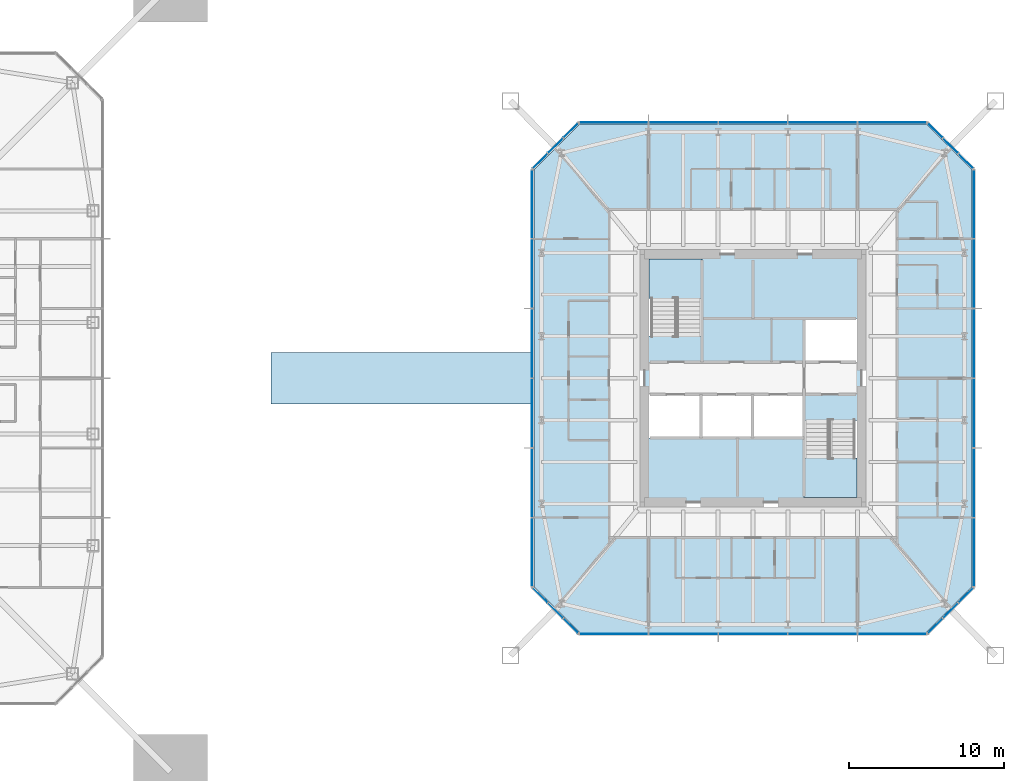
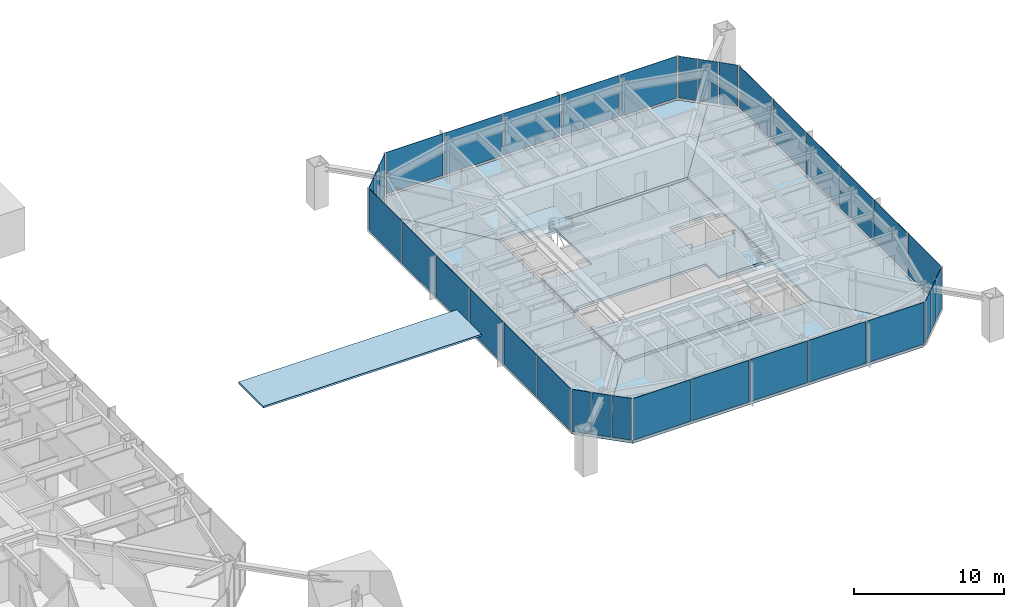
# One storey, part 12 of 25: 34 plates, 9 slabs, 10 elements without a shape of their own.
"""IFC4 building model written with IfcOpenShell, lengths in metres."""

from ifc_helpers import new_model, si_unit, direction, frame, origin, origin_2d, place, context, subcontext, project, spatial, polyline, rectangle, outline, extrude, material, layer, layer_set, constituent, constituent_set, type_object, element, aggregate, save


model = new_model("IFC4")

# Units and contexts
model_context = context("Model", 3, precision=1e-05, world=origin(), true_north=direction((0.0, 1.0)))
body_context = subcontext(model_context, "Body", "Model", "MODEL_VIEW")
ifc_project = project(units=[si_unit("LENGTHUNIT", "METRE"), si_unit("AREAUNIT", "SQUARE_METRE"), si_unit("VOLUMEUNIT", "CUBIC_METRE"), si_unit("PLANEANGLEUNIT", "RADIAN"), si_unit("MASSUNIT", "GRAM", prefix="KILO")], contexts=[model_context])

# Site, building, storey
site_placement = place(None, origin())
site = spatial("IfcSite", under=ifc_project, at=site_placement, CompositionType="ELEMENT")
building_placement = place(site_placement, origin())
building = spatial("IfcBuilding", under=site, at=building_placement, Name="Iwan Alto Co-Living Towers", CompositionType="ELEMENT")
storey_placement = place(building_placement, frame((0.0, 0.0, 101.5)))
storey = spatial("IfcBuildingStorey", under=building, at=storey_placement, Name="L27", CompositionType="ELEMENT", Elevation=101.5)

# Slabs
ifc_material_1 = material(Name="Concrete f'c 30 MPa", Category="concrete")
ifc_layer_1 = layer(ifc_material_1, 0.14990234375)
ifc_layer_set_1 = layer_set([ifc_layer_1], Name="BRIDGE ROOF SLAB 150")
slab_type_1 = type_object("IfcSlabType", Name="BRIDGE ROOF SLAB 150", PredefinedType="ROOF", material=ifc_layer_set_1)
slab_1_placement = place(storey_placement, frame((0.0, 0.0, 0.653564453125)))
element("IfcSlab", 1, at=slab_1_placement, inside=storey, type_object=slab_type_1, Name="Skybridge BR1 roof", PredefinedType="ROOF", context=body_context, shape_type="SweptSolid", body=[
    extrude(outline(polyline([(31.89990234375, -1.64990234375), (48.699951171875, -1.64990234375), (48.699951171875, 1.64990234375), (31.89990234375, 1.64990234375), (31.89990234375, -1.64990234375)])), origin(), (0.0, 0.0, 1.0), 0.150146484375),
])
ifc_material_2 = material(Name="Concrete f'c 30 MPa", Category="concrete")
ifc_layer_2 = layer(ifc_material_2, 0.199951171875)
ifc_layer_set_2 = layer_set([ifc_layer_2], Name="CORE FLOOR SLAB 200")
slab_type_2 = type_object("IfcSlabType", Name="CORE FLOOR SLAB 200", PredefinedType="FLOOR", material=ifc_layer_set_2)
slab_2_placement = place(storey_placement, frame((0.0, 0.0, -0.199951171875)))
element("IfcSlab", 2, at=slab_2_placement, inside=storey, type_object=slab_type_2, Name="T2 core floor L27", PredefinedType="FLOOR", context=body_context, shape_type="SweptSolid", body=[
    extrude(outline(polyline([(70.0, -3.030029296875), (69.699951171875, -3.030029296875), (69.699951171875, -2.719970703125), (66.300048828125, -2.719970703125), (66.300048828125, -1.050048828125), (62.967041015625, -1.050048828125), (59.633056640625, -1.050048828125), (56.300048828125, -1.050048828125), (56.300048828125, -1.360107421875), (56.0, -1.360107421875), (56.0, 3.030029296875), (56.300048828125, 3.030029296875), (56.300048828125, 2.719970703125), (59.699951171875, 2.719970703125), (59.699951171875, 7.699951171875), (59.389892578125, 7.699951171875), (59.389892578125, 8.0), (70.0, 8.0), (70.0, 3.5400390625), (69.699951171875, 3.5400390625), (69.699951171875, 3.85009765625), (66.300048828125, 3.85009765625), (66.300048828125, 1.050048828125), (69.699951171875, 1.050048828125), (69.699951171875, 1.360107421875), (70.0, 1.360107421875), (70.0, -3.030029296875)])), origin(), (0.0, 0.0, 1.0), 0.199951171875),
])
slab_3_placement = place(storey_placement, frame((0.0, 0.0, -0.199951171875)))
element("IfcSlab", 3, at=slab_3_placement, inside=storey, type_object=slab_type_2, Name="T2 core floor L27", PredefinedType="FLOOR", context=body_context, shape_type="SweptSolid", body=[
    extrude(outline(polyline([(62.967041015625, -3.85009765625), (66.300048828125, -3.85009765625), (66.300048828125, -7.699951171875), (66.610107421875, -7.699951171875), (66.610107421875, -8.0), (56.0, -8.0), (56.0, -3.5400390625), (56.300048828125, -3.5400390625), (56.300048828125, -3.85009765625), (59.633056640625, -3.85009765625), (62.967041015625, -3.85009765625)])), origin(), (0.0, 0.0, 1.0), 0.199951171875),
])

# Curtain wall, plates
ifc_material_3 = material(Name="Bronze aluminium unitised frame", Category="aluminium")
curtain_wall_type_1 = type_object("IfcCurtainWallType", Name="CURTAIN WALL CW-C", PredefinedType="NOTDEFINED", material=ifc_material_3)
curtain_wall_1_placement = place(storey_placement, origin())
curtain_wall_1 = element("IfcCurtainWall", 4, at=curtain_wall_1_placement, inside=storey, type_object=curtain_wall_type_1, Name="T2 curtain wall S L27", PredefinedType="NOTDEFINED")
ifc_material_4 = material(Name="Bronze-tinted insulating glass", Category="glass")
ifc_layer_3 = layer(ifc_material_4, 0.031982421875)
ifc_layer_set_3 = layer_set([ifc_layer_3], Name="CW-C PANEL TINTED IGU 32")
plate_type_1 = type_object("IfcPlateType", Name="CW-C PANEL TINTED IGU 32", PredefinedType="CURTAIN_PANEL", material=ifc_layer_set_3)
plate_1_placement = place(storey_placement, frame((54.02001953125, -16.5, 0.10009765625), z_axis=(0.0, 0.0, 1.0), x_axis=(1.0, 0.0, 0.0)))
plate_1 = element("IfcPlate", 5, at=plate_1_placement, type_object=plate_type_1, Name="CW-C panel 1.1", PredefinedType="CURTAIN_PANEL", context=body_context, shape_type="SweptSolid", body=[
    extrude(rectangle(XDim=4.3798828125, YDim=0.031982421875, at=origin_2d()), origin(), (0.0, 0.0, 1.0), 3.39990234375),
])
plate_2_placement = place(storey_placement, frame((58.5, -16.5, 0.10009765625), z_axis=(0.0, 0.0, 1.0), x_axis=(1.0, 0.0, 0.0)))
plate_2 = element("IfcPlate", 6, at=plate_2_placement, type_object=plate_type_1, Name="CW-C panel 2.1", PredefinedType="CURTAIN_PANEL", context=body_context, shape_type="SweptSolid", body=[
    extrude(rectangle(XDim=4.419921875, YDim=0.031982421875, at=origin_2d()), origin(), (0.0, 0.0, 1.0), 3.39990234375),
])
plate_3_placement = place(storey_placement, frame((63.0, -16.5, 0.10009765625), z_axis=(0.0, 0.0, 1.0), x_axis=(1.0, 0.0, 0.0)))
plate_3 = element("IfcPlate", 7, at=plate_3_placement, type_object=plate_type_1, Name="CW-C panel 3.1", PredefinedType="CURTAIN_PANEL", context=body_context, shape_type="SweptSolid", body=[
    extrude(rectangle(XDim=4.419921875, YDim=0.031982421875, at=origin_2d()), origin(), (0.0, 0.0, 1.0), 3.39990234375),
])
plate_4_placement = place(storey_placement, frame((67.5, -16.5, 0.10009765625), z_axis=(0.0, 0.0, 1.0), x_axis=(1.0, 0.0, 0.0)))
plate_4 = element("IfcPlate", 8, at=plate_4_placement, type_object=plate_type_1, Name="CW-C panel 4.1", PredefinedType="CURTAIN_PANEL", context=body_context, shape_type="SweptSolid", body=[
    extrude(rectangle(XDim=4.419921875, YDim=0.031982421875, at=origin_2d()), origin(), (0.0, 0.0, 1.0), 3.39990234375),
])
plate_5_placement = place(storey_placement, frame((71.97998046875, -16.5, 0.10009765625), z_axis=(0.0, 0.0, 1.0), x_axis=(1.0, 0.0, 0.0)))
plate_5 = element("IfcPlate", 9, at=plate_5_placement, type_object=plate_type_1, Name="CW-C panel 5.1", PredefinedType="CURTAIN_PANEL", context=body_context, shape_type="SweptSolid", body=[
    extrude(rectangle(XDim=4.3798828125, YDim=0.031982421875, at=origin_2d()), origin(), (0.0, 0.0, 1.0), 3.39990234375),
])
aggregate(curtain_wall_1, [plate_1, plate_2, plate_3, plate_4, plate_5])

curtain_wall_2_placement = place(storey_placement, origin())
curtain_wall_2 = element("IfcCurtainWall", 10, at=curtain_wall_2_placement, inside=storey, type_object=curtain_wall_type_1, Name="T2 curtain wall E L27", PredefinedType="NOTDEFINED")
plate_6_placement = place(storey_placement, frame((77.25, -6.75, 0.10009765625), z_axis=(0.0, 0.0, 1.0), x_axis=(0.0, 1.0, 0.0)))
plate_6 = element("IfcPlate", 11, at=plate_6_placement, type_object=plate_type_1, Name="CW-C panel 2.1", PredefinedType="CURTAIN_PANEL", context=body_context, shape_type="SweptSolid", body=[
    extrude(rectangle(XDim=4.419921875, YDim=0.031982421875, at=origin_2d()), origin(), (0.0, 0.0, 1.0), 3.39990234375),
])
plate_7_placement = place(storey_placement, frame((77.25, -2.25, 0.10009765625), z_axis=(0.0, 0.0, 1.0), x_axis=(0.0, 1.0, 0.0)))
plate_7 = element("IfcPlate", 12, at=plate_7_placement, type_object=plate_type_1, Name="CW-C panel 3.1", PredefinedType="CURTAIN_PANEL", context=body_context, shape_type="SweptSolid", body=[
    extrude(rectangle(XDim=4.419921875, YDim=0.031982421875, at=origin_2d()), origin(), (0.0, 0.0, 1.0), 3.39990234375),
])
plate_8_placement = place(storey_placement, frame((77.25, 2.25, 0.10009765625), z_axis=(0.0, 0.0, 1.0), x_axis=(0.0, 1.0, 0.0)))
plate_8 = element("IfcPlate", 13, at=plate_8_placement, type_object=plate_type_1, Name="CW-C panel 4.1", PredefinedType="CURTAIN_PANEL", context=body_context, shape_type="SweptSolid", body=[
    extrude(rectangle(XDim=4.419921875, YDim=0.031982421875, at=origin_2d()), origin(), (0.0, 0.0, 1.0), 3.39990234375),
])
plate_9_placement = place(storey_placement, frame((77.25, 6.75, 0.10009765625), z_axis=(0.0, 0.0, 1.0), x_axis=(0.0, 1.0, 0.0)))
plate_9 = element("IfcPlate", 14, at=plate_9_placement, type_object=plate_type_1, Name="CW-C panel 5.1", PredefinedType="CURTAIN_PANEL", context=body_context, shape_type="SweptSolid", body=[
    extrude(rectangle(XDim=4.419921875, YDim=0.031982421875, at=origin_2d()), origin(), (0.0, 0.0, 1.0), 3.39990234375),
])

curtain_wall_3_placement = place(storey_placement, origin())
curtain_wall_3 = element("IfcCurtainWall", 15, at=curtain_wall_3_placement, inside=storey, type_object=curtain_wall_type_1, Name="T2 curtain wall N L27", PredefinedType="NOTDEFINED")
plate_10_placement = place(storey_placement, frame((71.97998046875, 16.5, 0.10009765625), z_axis=(0.0, 0.0, 1.0), x_axis=(-1.0, 0.0, 0.0)))
plate_10 = element("IfcPlate", 16, at=plate_10_placement, type_object=plate_type_1, Name="CW-C panel 1.1", PredefinedType="CURTAIN_PANEL", context=body_context, shape_type="SweptSolid", body=[
    extrude(rectangle(XDim=4.3798828125, YDim=0.031982421875, at=origin_2d()), origin(), (0.0, 0.0, 1.0), 3.39990234375),
])
plate_11_placement = place(storey_placement, frame((67.5, 16.5, 0.10009765625), z_axis=(0.0, 0.0, 1.0), x_axis=(-1.0, 0.0, 0.0)))
plate_11 = element("IfcPlate", 17, at=plate_11_placement, type_object=plate_type_1, Name="CW-C panel 2.1", PredefinedType="CURTAIN_PANEL", context=body_context, shape_type="SweptSolid", body=[
    extrude(rectangle(XDim=4.419921875, YDim=0.031982421875, at=origin_2d()), origin(), (0.0, 0.0, 1.0), 3.39990234375),
])
plate_12_placement = place(storey_placement, frame((63.0, 16.5, 0.10009765625), z_axis=(0.0, 0.0, 1.0), x_axis=(-1.0, 0.0, 0.0)))
plate_12 = element("IfcPlate", 18, at=plate_12_placement, type_object=plate_type_1, Name="CW-C panel 3.1", PredefinedType="CURTAIN_PANEL", context=body_context, shape_type="SweptSolid", body=[
    extrude(rectangle(XDim=4.419921875, YDim=0.031982421875, at=origin_2d()), origin(), (0.0, 0.0, 1.0), 3.39990234375),
])
plate_13_placement = place(storey_placement, frame((58.5, 16.5, 0.10009765625), z_axis=(0.0, 0.0, 1.0), x_axis=(-1.0, 0.0, 0.0)))
plate_13 = element("IfcPlate", 19, at=plate_13_placement, type_object=plate_type_1, Name="CW-C panel 4.1", PredefinedType="CURTAIN_PANEL", context=body_context, shape_type="SweptSolid", body=[
    extrude(rectangle(XDim=4.419921875, YDim=0.031982421875, at=origin_2d()), origin(), (0.0, 0.0, 1.0), 3.39990234375),
])
plate_14_placement = place(storey_placement, frame((54.02001953125, 16.5, 0.10009765625), z_axis=(0.0, 0.0, 1.0), x_axis=(-1.0, 0.0, 0.0)))
plate_14 = element("IfcPlate", 20, at=plate_14_placement, type_object=plate_type_1, Name="CW-C panel 5.1", PredefinedType="CURTAIN_PANEL", context=body_context, shape_type="SweptSolid", body=[
    extrude(rectangle(XDim=4.3798828125, YDim=0.031982421875, at=origin_2d()), origin(), (0.0, 0.0, 1.0), 3.39990234375),
])
aggregate(curtain_wall_3, [plate_10, plate_11, plate_12, plate_13, plate_14])

curtain_wall_4_placement = place(storey_placement, origin())
curtain_wall_4 = element("IfcCurtainWall", 21, at=curtain_wall_4_placement, inside=storey, type_object=curtain_wall_type_1, Name="T2 curtain wall W L27", PredefinedType="NOTDEFINED")
plate_15_placement = place(storey_placement, frame((48.75, 6.75, 0.10009765625), z_axis=(0.0, 0.0, 1.0), x_axis=(0.0, -1.0, 0.0)))
plate_15 = element("IfcPlate", 22, at=plate_15_placement, type_object=plate_type_1, Name="CW-C panel 2.1", PredefinedType="CURTAIN_PANEL", context=body_context, shape_type="SweptSolid", body=[
    extrude(rectangle(XDim=4.419921875, YDim=0.031982421875, at=origin_2d()), origin(), (0.0, 0.0, 1.0), 3.39990234375),
])
plate_16_placement = place(storey_placement, frame((48.75, -6.75, 0.10009765625), z_axis=(0.0, 0.0, 1.0), x_axis=(0.0, -1.0, 0.0)))
plate_16 = element("IfcPlate", 23, at=plate_16_placement, type_object=plate_type_1, Name="CW-C panel 5.1", PredefinedType="CURTAIN_PANEL", context=body_context, shape_type="SweptSolid", body=[
    extrude(rectangle(XDim=4.419921875, YDim=0.031982421875, at=origin_2d()), origin(), (0.0, 0.0, 1.0), 3.39990234375),
])

# Plate
ifc_material_5 = material(Name="Insulated bronze aluminium spandrel panel", Category="aluminium")
ifc_layer_4 = layer(ifc_material_5, 0.031982421875)
ifc_layer_set_4 = layer_set([ifc_layer_4], Name="CW-C SPANDREL PANEL 32")
plate_type_2 = type_object("IfcPlateType", Name="CW-C SPANDREL PANEL 32", PredefinedType="CURTAIN_PANEL", material=ifc_layer_set_4)
plate_17_placement = place(storey_placement, frame((77.25, -11.22998046875, 0.10009765625), z_axis=(0.0, 0.0, 1.0), x_axis=(0.0, 1.0, 0.0)))
plate_17 = element("IfcPlate", 24, at=plate_17_placement, type_object=plate_type_2, Name="CW-C spandrel panel 1.1 (braced bay)", PredefinedType="CURTAIN_PANEL", context=body_context, shape_type="SweptSolid", body=[
    extrude(rectangle(XDim=4.3798828125, YDim=0.031982421875, at=origin_2d()), origin(), (0.0, 0.0, 1.0), 3.39990234375),
])

plate_18_placement = place(storey_placement, frame((77.25, 11.22998046875, 0.10009765625), z_axis=(0.0, 0.0, 1.0), x_axis=(0.0, 1.0, 0.0)))
plate_18 = element("IfcPlate", 25, at=plate_18_placement, type_object=plate_type_2, Name="CW-C spandrel panel 6.1 (braced bay)", PredefinedType="CURTAIN_PANEL", context=body_context, shape_type="SweptSolid", body=[
    extrude(rectangle(XDim=4.3798828125, YDim=0.031982421875, at=origin_2d()), origin(), (0.0, 0.0, 1.0), 3.39990234375),
])

aggregate(curtain_wall_2, [plate_6, plate_7, plate_8, plate_9, plate_17, plate_18])

plate_19_placement = place(storey_placement, frame((48.75, 11.22998046875, 0.10009765625), z_axis=(0.0, 0.0, 1.0), x_axis=(0.0, -1.0, 0.0)))
plate_19 = element("IfcPlate", 26, at=plate_19_placement, type_object=plate_type_2, Name="CW-C spandrel panel 1.1 (braced bay)", PredefinedType="CURTAIN_PANEL", context=body_context, shape_type="SweptSolid", body=[
    extrude(rectangle(XDim=4.3798828125, YDim=0.031982421875, at=origin_2d()), origin(), (0.0, 0.0, 1.0), 3.39990234375),
])

plate_20_placement = place(storey_placement, frame((48.75, 2.25, 0.10009765625), z_axis=(0.0, 0.0, 1.0), x_axis=(0.0, -1.0, 0.0)))
plate_20 = element("IfcPlate", 27, at=plate_20_placement, type_object=plate_type_2, Name="CW-C spandrel panel 3.1 (braced bay)", PredefinedType="CURTAIN_PANEL", context=body_context, shape_type="SweptSolid", body=[
    extrude(rectangle(XDim=4.419921875, YDim=0.031982421875, at=origin_2d()), origin(), (0.0, 0.0, 1.0), 3.39990234375),
])

plate_21_placement = place(storey_placement, frame((48.75, -2.25, 0.10009765625), z_axis=(0.0, 0.0, 1.0), x_axis=(0.0, -1.0, 0.0)))
plate_21 = element("IfcPlate", 28, at=plate_21_placement, type_object=plate_type_2, Name="CW-C spandrel panel 4.1 (braced bay)", PredefinedType="CURTAIN_PANEL", context=body_context, shape_type="SweptSolid", body=[
    extrude(rectangle(XDim=4.419921875, YDim=0.031982421875, at=origin_2d()), origin(), (0.0, 0.0, 1.0), 3.39990234375),
])

plate_22_placement = place(storey_placement, frame((48.75, -11.22998046875, 0.10009765625), z_axis=(0.0, 0.0, 1.0), x_axis=(0.0, -1.0, 0.0)))
plate_22 = element("IfcPlate", 29, at=plate_22_placement, type_object=plate_type_2, Name="CW-C spandrel panel 6.1 (braced bay)", PredefinedType="CURTAIN_PANEL", context=body_context, shape_type="SweptSolid", body=[
    extrude(rectangle(XDim=4.3798828125, YDim=0.031982421875, at=origin_2d()), origin(), (0.0, 0.0, 1.0), 3.39990234375),
])

aggregate(curtain_wall_4, [plate_15, plate_16, plate_19, plate_20, plate_21, plate_22])

# Curtain wall, plates
ifc_material_6 = material(Name="Bronze aluminium unitised frame", Category="aluminium")
curtain_wall_type_2 = type_object("IfcCurtainWallType", Name="CURTAIN WALL CW-D", PredefinedType="NOTDEFINED", material=ifc_material_6)
curtain_wall_5_placement = place(storey_placement, origin())
curtain_wall_5 = element("IfcCurtainWall", 30, at=curtain_wall_5_placement, inside=storey, type_object=curtain_wall_type_2, Name="T2 chamfer curtain wall SE L27", PredefinedType="NOTDEFINED")
ifc_material_7 = material(Name="Bronze-tinted insulating glass", Category="glass")
ifc_layer_5 = layer(ifc_material_7, 0.031982421875)
ifc_layer_set_5 = layer_set([ifc_layer_5], Name="CW-D PANEL TINTED IGU 32")
plate_type_3 = type_object("IfcPlateType", Name="CW-D PANEL TINTED IGU 32", PredefinedType="CURTAIN_PANEL", material=ifc_layer_set_5)
plate_23_placement = place(storey_placement, frame((74.76416015625, -15.98583984375, 0.10009765625), z_axis=(0.0, 0.0, 1.0), x_axis=(0.707106781187, 0.707106781187, 0.0)))
plate_23 = element("IfcPlate", 31, at=plate_23_placement, type_object=plate_type_3, Name="CW-D panel 1.1", PredefinedType="CURTAIN_PANEL", context=body_context, shape_type="SweptSolid", body=[
    extrude(rectangle(XDim=1.294189453125, YDim=0.031982421875, at=origin_2d()), origin(), (0.0, 0.0, 1.0), 3.39990234375),
])
plate_24_placement = place(storey_placement, frame((75.75, -15.0, 0.10009765625), z_axis=(0.0, 0.0, 1.0), x_axis=(0.707106781187, 0.707106781187, 0.0)))
plate_24 = element("IfcPlate", 32, at=plate_24_placement, type_object=plate_type_3, Name="CW-D panel 2.1", PredefinedType="CURTAIN_PANEL", context=body_context, shape_type="SweptSolid", body=[
    extrude(rectangle(XDim=1.334228515625, YDim=0.031982421875, at=origin_2d()), origin(), (0.0, 0.0, 1.0), 3.39990234375),
])
plate_25_placement = place(storey_placement, frame((76.73583984375, -14.01416015625, 0.10009765625), z_axis=(0.0, 0.0, 1.0), x_axis=(0.707106781187, 0.707106781187, 0.0)))
plate_25 = element("IfcPlate", 33, at=plate_25_placement, type_object=plate_type_3, Name="CW-D panel 3.1", PredefinedType="CURTAIN_PANEL", context=body_context, shape_type="SweptSolid", body=[
    extrude(rectangle(XDim=1.294189453125, YDim=0.031982421875, at=origin_2d()), origin(), (0.0, 0.0, 1.0), 3.39990234375),
])
aggregate(curtain_wall_5, [plate_23, plate_24, plate_25])

curtain_wall_6_placement = place(storey_placement, origin())
curtain_wall_6 = element("IfcCurtainWall", 34, at=curtain_wall_6_placement, inside=storey, type_object=curtain_wall_type_2, Name="T2 chamfer curtain wall NE L27", PredefinedType="NOTDEFINED")
plate_26_placement = place(storey_placement, frame((76.73583984375, 14.01416015625, 0.10009765625), z_axis=(0.0, 0.0, 1.0), x_axis=(-0.707106781187, 0.707106781187, 0.0)))
plate_26 = element("IfcPlate", 35, at=plate_26_placement, type_object=plate_type_3, Name="CW-D panel 1.1", PredefinedType="CURTAIN_PANEL", context=body_context, shape_type="SweptSolid", body=[
    extrude(rectangle(XDim=1.294189453125, YDim=0.031982421875, at=origin_2d()), origin(), (0.0, 0.0, 1.0), 3.39990234375),
])
plate_27_placement = place(storey_placement, frame((75.75, 15.0, 0.10009765625), z_axis=(0.0, 0.0, 1.0), x_axis=(-0.707106781187, 0.707106781187, 0.0)))
plate_27 = element("IfcPlate", 36, at=plate_27_placement, type_object=plate_type_3, Name="CW-D panel 2.1", PredefinedType="CURTAIN_PANEL", context=body_context, shape_type="SweptSolid", body=[
    extrude(rectangle(XDim=1.334228515625, YDim=0.031982421875, at=origin_2d()), origin(), (0.0, 0.0, 1.0), 3.39990234375),
])
plate_28_placement = place(storey_placement, frame((74.76416015625, 15.98583984375, 0.10009765625), z_axis=(0.0, 0.0, 1.0), x_axis=(-0.707106781187, 0.707106781187, 0.0)))
plate_28 = element("IfcPlate", 37, at=plate_28_placement, type_object=plate_type_3, Name="CW-D panel 3.1", PredefinedType="CURTAIN_PANEL", context=body_context, shape_type="SweptSolid", body=[
    extrude(rectangle(XDim=1.294189453125, YDim=0.031982421875, at=origin_2d()), origin(), (0.0, 0.0, 1.0), 3.39990234375),
])
aggregate(curtain_wall_6, [plate_26, plate_27, plate_28])

curtain_wall_7_placement = place(storey_placement, origin())
curtain_wall_7 = element("IfcCurtainWall", 38, at=curtain_wall_7_placement, inside=storey, type_object=curtain_wall_type_2, Name="T2 chamfer curtain wall NW L27", PredefinedType="NOTDEFINED")
plate_29_placement = place(storey_placement, frame((51.23583984375, 15.98583984375, 0.10009765625), z_axis=(0.0, 0.0, 1.0), x_axis=(-0.707106781187, -0.707106781187, 0.0)))
plate_29 = element("IfcPlate", 39, at=plate_29_placement, type_object=plate_type_3, Name="CW-D panel 1.1", PredefinedType="CURTAIN_PANEL", context=body_context, shape_type="SweptSolid", body=[
    extrude(rectangle(XDim=1.294189453125, YDim=0.031982421875, at=origin_2d()), origin(), (0.0, 0.0, 1.0), 3.39990234375),
])
plate_30_placement = place(storey_placement, frame((50.25, 15.0, 0.10009765625), z_axis=(0.0, 0.0, 1.0), x_axis=(-0.707106781187, -0.707106781187, 0.0)))
plate_30 = element("IfcPlate", 40, at=plate_30_placement, type_object=plate_type_3, Name="CW-D panel 2.1", PredefinedType="CURTAIN_PANEL", context=body_context, shape_type="SweptSolid", body=[
    extrude(rectangle(XDim=1.334228515625, YDim=0.031982421875, at=origin_2d()), origin(), (0.0, 0.0, 1.0), 3.39990234375),
])
plate_31_placement = place(storey_placement, frame((49.26416015625, 14.01416015625, 0.10009765625), z_axis=(0.0, 0.0, 1.0), x_axis=(-0.707106781187, -0.707106781187, 0.0)))
plate_31 = element("IfcPlate", 41, at=plate_31_placement, type_object=plate_type_3, Name="CW-D panel 3.1", PredefinedType="CURTAIN_PANEL", context=body_context, shape_type="SweptSolid", body=[
    extrude(rectangle(XDim=1.294189453125, YDim=0.031982421875, at=origin_2d()), origin(), (0.0, 0.0, 1.0), 3.39990234375),
])
aggregate(curtain_wall_7, [plate_29, plate_30, plate_31])

curtain_wall_8_placement = place(storey_placement, origin())
curtain_wall_8 = element("IfcCurtainWall", 42, at=curtain_wall_8_placement, inside=storey, type_object=curtain_wall_type_2, Name="T2 chamfer curtain wall SW L27", PredefinedType="NOTDEFINED")
plate_32_placement = place(storey_placement, frame((49.26416015625, -14.01416015625, 0.10009765625), z_axis=(0.0, 0.0, 1.0), x_axis=(0.707106781187, -0.707106781187, 0.0)))
plate_32 = element("IfcPlate", 43, at=plate_32_placement, type_object=plate_type_3, Name="CW-D panel 1.1", PredefinedType="CURTAIN_PANEL", context=body_context, shape_type="SweptSolid", body=[
    extrude(rectangle(XDim=1.294189453125, YDim=0.031982421875, at=origin_2d()), origin(), (0.0, 0.0, 1.0), 3.39990234375),
])
plate_33_placement = place(storey_placement, frame((50.25, -15.0, 0.10009765625), z_axis=(0.0, 0.0, 1.0), x_axis=(0.707106781187, -0.707106781187, 0.0)))
plate_33 = element("IfcPlate", 44, at=plate_33_placement, type_object=plate_type_3, Name="CW-D panel 2.1", PredefinedType="CURTAIN_PANEL", context=body_context, shape_type="SweptSolid", body=[
    extrude(rectangle(XDim=1.334228515625, YDim=0.031982421875, at=origin_2d()), origin(), (0.0, 0.0, 1.0), 3.39990234375),
])
plate_34_placement = place(storey_placement, frame((51.23583984375, -15.98583984375, 0.10009765625), z_axis=(0.0, 0.0, 1.0), x_axis=(0.707106781187, -0.707106781187, 0.0)))
plate_34 = element("IfcPlate", 45, at=plate_34_placement, type_object=plate_type_3, Name="CW-D panel 3.1", PredefinedType="CURTAIN_PANEL", context=body_context, shape_type="SweptSolid", body=[
    extrude(rectangle(XDim=1.294189453125, YDim=0.031982421875, at=origin_2d()), origin(), (0.0, 0.0, 1.0), 3.39990234375),
])
aggregate(curtain_wall_8, [plate_32, plate_33, plate_34])

# Stair, slab
ifc_material_8 = material(Name="Steel ASTM A36", Category="steel")
ifc_constituent_1 = constituent(ifc_material_8, Name="Stringers", Category="LoadBearing")
ifc_material_9 = material(Name="Concrete f'c 30 MPa", Category="concrete")
ifc_constituent_2 = constituent(ifc_material_9, Name="Tread fill", Category="Finish")
ifc_constituent_set = constituent_set(constituents=[ifc_constituent_1, ifc_constituent_2], Name="STAIR 3500 TWO-FLIGHT T2 CORE")
stair_type = type_object("IfcStairType", Name="STAIR 3500 TWO-FLIGHT T2 CORE", PredefinedType="HALF_TURN_STAIR", material=ifc_constituent_set)
stair_1_placement = place(storey_placement, origin())
stair_1 = element("IfcStair", 46, at=stair_1_placement, inside=storey, type_object=stair_type, Name="Stair T2-S1 L27 to L28", PredefinedType="HALF_TURN_STAIR")
ifc_material_10 = material(Name="Concrete f'c 30 MPa", Category="concrete")
ifc_layer_6 = layer(ifc_material_10, 0.199951171875)
ifc_layer_set_6 = layer_set([ifc_layer_6], Name="STAIR LANDING 200")
slab_type_3 = type_object("IfcSlabType", Name="STAIR LANDING 200", PredefinedType="LANDING", material=ifc_layer_set_6)
slab_4_placement = place(storey_placement, frame((0.0, 0.0, 1.550048828125)))
slab_4 = element("IfcSlab", 47, at=slab_4_placement, type_object=slab_type_3, Name="T2-S1 landing 1", PredefinedType="LANDING", context=body_context, shape_type="SweptSolid", body=[
    extrude(outline(polyline([(56.300048828125, 5.139892578125), (56.300048828125, 7.699951171875), (59.699951171875, 7.699951171875), (59.699951171875, 5.139892578125), (56.300048828125, 5.139892578125)])), origin(), (0.0, 0.0, 1.0), 0.199951171875),
])
aggregate(stair_1, [slab_4])

stair_2_placement = place(storey_placement, origin())
stair_2 = element("IfcStair", 48, at=stair_2_placement, inside=storey, type_object=stair_type, Name="Stair T2-S2 L27 to L28", PredefinedType="HALF_TURN_STAIR")
slab_5_placement = place(storey_placement, frame((0.0, 0.0, 1.550048828125)))
slab_5 = element("IfcSlab", 49, at=slab_5_placement, type_object=slab_type_3, Name="T2-S2 landing 1", PredefinedType="LANDING", context=body_context, shape_type="SweptSolid", body=[
    extrude(outline(polyline([(66.300048828125, -5.139892578125), (66.300048828125, -7.699951171875), (69.699951171875, -7.699951171875), (69.699951171875, -5.139892578125), (66.300048828125, -5.139892578125)])), origin(), (0.0, 0.0, 1.0), 0.199951171875),
])
aggregate(stair_2, [slab_5])

# Slabs
ifc_material_11 = material(Name="Concrete f'c 30 MPa", Category="concrete")
ifc_layer_7 = layer(ifc_material_11, 0.22998046875)
ifc_layer_set_7 = layer_set([ifc_layer_7], Name="T2 FLOOR SLAB 230")
slab_type_4 = type_object("IfcSlabType", Name="T2 FLOOR SLAB 230", PredefinedType="FLOOR", material=ifc_layer_set_7)
slab_6_placement = place(storey_placement, frame((0.0, 0.0, -0.22998046875)))
element("IfcSlab", 50, at=slab_6_placement, inside=storey, type_object=slab_type_4, Name="T2 floor slab L27 S pour", PredefinedType="FLOOR", context=body_context, shape_type="SweptSolid", body=[
    extrude(outline(polyline([(74.19140625, -16.39990234375), (51.80859375, -16.39990234375), (50.330810546875, -14.92236328125), (55.699951171875, -8.300048828125), (70.300048828125, -8.300048828125), (75.669189453125, -14.92236328125), (74.19140625, -16.39990234375)])), origin(), (0.0, 0.0, 1.0), 0.22998046875),
])
slab_7_placement = place(storey_placement, frame((0.0, 0.0, -0.22998046875)))
element("IfcSlab", 51, at=slab_7_placement, inside=storey, type_object=slab_type_4, Name="T2 floor slab L27 E pour", PredefinedType="FLOOR", context=body_context, shape_type="SweptSolid", body=[
    extrude(outline(polyline([(77.14990234375, 13.44140625), (77.14990234375, -13.44140625), (75.669189453125, -14.92236328125), (70.300048828125, -8.300048828125), (70.300048828125, 8.300048828125), (75.669189453125, 14.92236328125), (77.14990234375, 13.44140625)])), origin(), (0.0, 0.0, 1.0), 0.22998046875),
])
slab_8_placement = place(storey_placement, frame((0.0, 0.0, -0.22998046875)))
element("IfcSlab", 52, at=slab_8_placement, inside=storey, type_object=slab_type_4, Name="T2 floor slab L27 N pour", PredefinedType="FLOOR", context=body_context, shape_type="SweptSolid", body=[
    extrude(outline(polyline([(51.80859375, 16.39990234375), (74.19140625, 16.39990234375), (75.669189453125, 14.92236328125), (70.300048828125, 8.300048828125), (55.699951171875, 8.300048828125), (50.330810546875, 14.92236328125), (51.80859375, 16.39990234375)])), origin(), (0.0, 0.0, 1.0), 0.22998046875),
])
slab_9_placement = place(storey_placement, frame((0.0, 0.0, -0.22998046875)))
element("IfcSlab", 53, at=slab_9_placement, inside=storey, type_object=slab_type_4, Name="T2 floor slab L27 W pour", PredefinedType="FLOOR", context=body_context, shape_type="SweptSolid", body=[
    extrude(outline(polyline([(48.85009765625, 13.44140625), (50.330810546875, 14.92236328125), (55.699951171875, 8.300048828125), (55.699951171875, -8.300048828125), (50.330810546875, -14.92236328125), (48.85009765625, -13.44140625), (48.85009765625, 13.44140625)])), origin(), (0.0, 0.0, 1.0), 0.22998046875),
])

save(model, "model.ifc")
